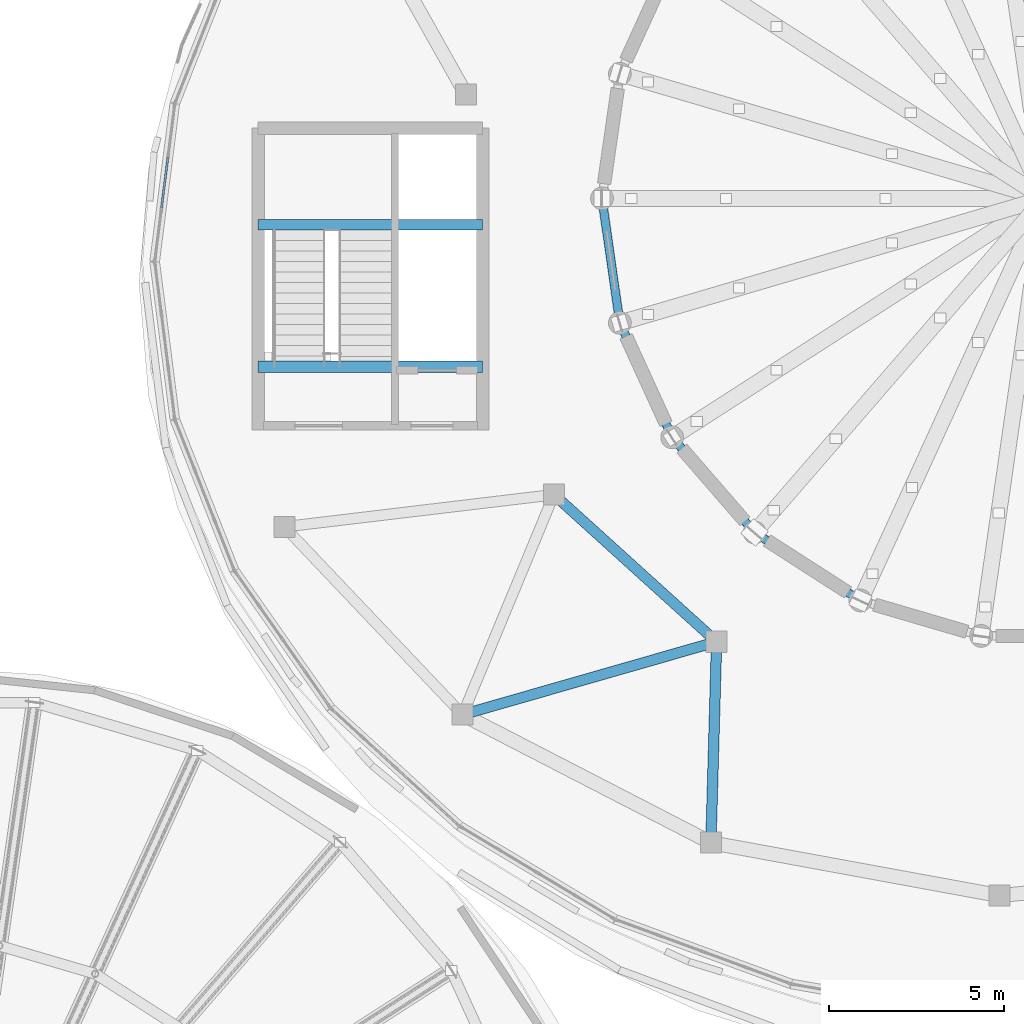
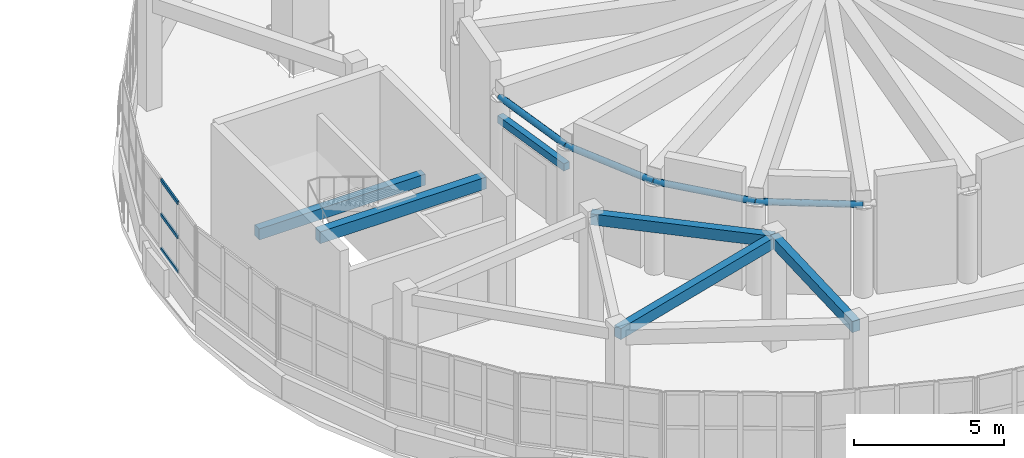
# One storey, part 19 of 69: 10 beams, 3 members, 1 element without a shape of its own.
"""IFC4 building model written with IfcOpenShell, lengths in metres."""

from ifc_helpers import new_model, si_unit, direction, frame, origin, origin_2d, place, context, subcontext, project, spatial, rectangle, hollow_rectangle, hollow_circle, extrude, material, layer, layer_set, material_profile, profile_set, type_object, element, aggregate, save


model = new_model("IFC4")

# Units and contexts
model_context = context("Model", 3, precision=1e-05, world=origin(), true_north=direction((0.0, 1.0)))
body_context = subcontext(model_context, "Body", "Model", "MODEL_VIEW")
ifc_project = project(units=[si_unit("LENGTHUNIT", "METRE"), si_unit("AREAUNIT", "SQUARE_METRE"), si_unit("VOLUMEUNIT", "CUBIC_METRE"), si_unit("PLANEANGLEUNIT", "RADIAN"), si_unit("MASSUNIT", "GRAM", prefix="KILO")], contexts=[model_context])

# Site, building, storey
site_placement = place(None, origin())
site = spatial("IfcSite", under=ifc_project, at=site_placement, CompositionType="ELEMENT")
building_placement = place(site_placement, origin())
building = spatial("IfcBuilding", under=site, at=building_placement, Name="Pelvatis Terrace Science Centre", CompositionType="ELEMENT")
storey_placement = place(building_placement, frame((0.0, 0.0, 15.0)))
storey = spatial("IfcBuildingStorey", under=building, at=storey_placement, Name="L03", CompositionType="ELEMENT", Elevation=15.0)

# Beams
ifc_material_1 = material(Name="Structural steel S355", Category="steel")
ifc_material_profile_1 = material_profile(ifc_material_1, hollow_circle(Radius=0.122314453125, WallThickness=0.010009765625, at=origin_2d()), Name="CHS 244.5x10.0")
ifc_profile_set_1 = profile_set([ifc_material_profile_1], Name="Structural steel S355")
beam_type_1 = type_object("IfcBeamType", Name="BM-HOOP-CHS244", PredefinedType="BEAM", material=ifc_profile_set_1)
beam_1_placement = place(storey_placement, frame((96.60009765625, 85.800048828125, 3.60009765625), z_axis=(0.142279062089, -0.98982658506, 0.0), x_axis=(0.98982658506, 0.142279062089, 0.0)))
element("IfcBeam", 1, at=beam_1_placement, inside=storey, type_object=beam_type_1, Name="Planetarium dome hoop ring 1.12", PredefinedType="BEAM", context=body_context, shape_type="SweptSolid", body=[
    extrude(hollow_circle(Radius=0.122314453125, WallThickness=0.010009765625, at=origin_2d()), origin(), (0.0, 0.0, 1.0), 3.586181640625),
])
beam_2_placement = place(storey_placement, frame((97.1103515625, 82.250244140625, 3.60009765625), z_axis=(0.415376845768, -0.909649424778, 0.0), x_axis=(0.909649424778, 0.415376845768, 0.0)))
element("IfcBeam", 2, at=beam_2_placement, inside=storey, type_object=beam_type_1, Name="Planetarium dome hoop ring 1.13", PredefinedType="BEAM", context=body_context, shape_type="SweptSolid", body=[
    extrude(hollow_circle(Radius=0.122314453125, WallThickness=0.010009765625, at=origin_2d()), origin(), (0.0, 0.0, 1.0), 3.58642578125),
])
beam_3_placement = place(storey_placement, frame((98.60009765625, 78.98779296875, 3.60009765625), z_axis=(0.654896845036, -0.755718282406, 0.0), x_axis=(0.755718282406, 0.654896845036, 0.0)))
element("IfcBeam", 3, at=beam_3_placement, inside=storey, type_object=beam_type_1, Name="Planetarium dome hoop ring 1.14", PredefinedType="BEAM", context=body_context, shape_type="SweptSolid", body=[
    extrude(hollow_circle(Radius=0.122314453125, WallThickness=0.010009765625, at=origin_2d()), origin(), (0.0, 0.0, 1.0), 3.586181640625),
])
beam_4_placement = place(storey_placement, frame((100.94873046875, 76.277587890625, 3.60009765625), z_axis=(0.841253667692, -0.540640607607, 0.0), x_axis=(0.540640607607, 0.841253667692, 0.0)))
element("IfcBeam", 4, at=beam_4_placement, inside=storey, type_object=beam_type_1, Name="Planetarium dome hoop ring 1.15", PredefinedType="BEAM", context=body_context, shape_type="SweptSolid", body=[
    extrude(hollow_circle(Radius=0.122314453125, WallThickness=0.010009765625, at=origin_2d()), origin(), (0.0, 0.0, 1.0), 3.58642578125),
])
ifc_material_2 = material(Name="Concrete C35/45", Category="concrete")
ifc_material_profile_2 = material_profile(ifc_material_2, rectangle(XDim=0.300048828125, YDim=0.449951171875, at=origin_2d()), Name="RC-BM 300x450")
ifc_profile_set_2 = profile_set([ifc_material_profile_2], Name="Concrete C35/45")
beam_type_2 = type_object("IfcBeamType", Name="BM-RC-300x450", PredefinedType="BEAM", material=ifc_profile_set_2)
beam_5_placement = place(storey_placement, frame((92.62744140625, 71.0849609375, 4.324951171875), z_axis=(0.961229800433, 0.275748564382, 0.0), x_axis=(-0.275748564382, 0.961229800433, 0.0)))
element("IfcBeam", 5, at=beam_5_placement, inside=storey, type_object=beam_type_2, Name="Beam BM-L03-3028", PredefinedType="BEAM", context=body_context, shape_type="SweptSolid", body=[
    extrude(rectangle(XDim=0.300048828125, YDim=0.449951171875, at=origin_2d()), origin(), (0.0, 0.0, 1.0), 7.531005859375),
])
beam_6_placement = place(storey_placement, frame((99.705078125, 67.434326171875, 4.324951171875), z_axis=(0.028165640532, 0.999603269649, 0.0), x_axis=(-0.999603269649, 0.028165640532, 0.0)))
element("IfcBeam", 6, at=beam_6_placement, inside=storey, type_object=beam_type_2, Name="Beam BM-L03-3030", PredefinedType="BEAM", context=body_context, shape_type="SweptSolid", body=[
    extrude(rectangle(XDim=0.300048828125, YDim=0.449951171875, at=origin_2d()), origin(), (0.0, 0.0, 1.0), 5.7294921875),
])
beam_7_placement = place(storey_placement, frame((95.231201171875, 77.355224609375, 4.324951171875), z_axis=(0.741551509184, -0.670895937704, 0.0), x_axis=(0.670895937704, 0.741551509184, 0.0)))
element("IfcBeam", 7, at=beam_7_placement, inside=storey, type_object=beam_type_2, Name="Beam BM-L03-3040", PredefinedType="BEAM", context=body_context, shape_type="SweptSolid", body=[
    extrude(rectangle(XDim=0.300048828125, YDim=0.449951171875, at=origin_2d()), origin(), (0.0, 0.0, 1.0), 6.250732421875),
])
beam_8_placement = place(storey_placement, frame((86.800048828125, 85.050048828125, 1.97509765625), z_axis=(1.0, 0.0, 0.0), x_axis=(0.0, 1.0, 0.0)))
element("IfcBeam", 8, at=beam_8_placement, inside=storey, type_object=beam_type_2, Name="Core C1 half-landing beam (L03)", PredefinedType="BEAM", context=body_context, shape_type="SweptSolid", body=[
    extrude(rectangle(XDim=0.300048828125, YDim=0.449951171875, at=origin_2d()), origin(), (0.0, 0.0, 1.0), 6.39990234375),
])
ifc_material_3 = material(Name="Concrete C35/45", Category="concrete")
ifc_material_profile_3 = material_profile(ifc_material_3, rectangle(XDim=0.320068359375, YDim=0.47998046875, at=origin_2d()), Name="RC-BM 320x480")
ifc_profile_set_3 = profile_set([ifc_material_profile_3], Name="Concrete C35/45")
beam_type_3 = type_object("IfcBeamType", Name="BM-RC-320x480", PredefinedType="BEAM", material=ifc_profile_set_3)
beam_9_placement = place(storey_placement, frame((86.800048828125, 81.0, 4.300048828125), z_axis=(1.0, 0.0, 0.0), x_axis=(0.0, 1.0, 0.0)))
element("IfcBeam", 9, at=beam_9_placement, inside=storey, type_object=beam_type_3, Name="Core C1 stair header beam (L03)", PredefinedType="BEAM", context=body_context, shape_type="SweptSolid", body=[
    extrude(rectangle(XDim=0.320068359375, YDim=0.47998046875, at=origin_2d()), origin(), (0.0, 0.0, 1.0), 6.39990234375),
])

# Curtain wall, members
ifc_material_4 = material(Name="Bronze-anodised aluminium and laminated glass", Category="aluminium")
ifc_layer = layer(ifc_material_4, 0.179931640625)
ifc_layer_set = layer_set([ifc_layer], Name="Bronze-anodised aluminium and laminated glass")
curtain_wall_type = type_object("IfcCurtainWallType", Name="CW-RIBBON-A", PredefinedType="NOTDEFINED", material=ifc_layer_set)
curtain_wall_placement = place(storey_placement, origin())
curtain_wall = element("IfcCurtainWall", 10, at=curtain_wall_placement, inside=storey, type_object=curtain_wall_type, Name="Ribbon curtain wall CW-197 (L03)", PredefinedType="NOTDEFINED")
ifc_material_5 = material(Name="Bronze-anodised aluminium 6063-T6", Category="aluminium")
ifc_material_profile_4 = material_profile(ifc_material_5, hollow_rectangle(XDim=0.06005859375, YDim=0.139892578125, WallThickness=0.00390625, at=origin_2d()), Name="ALU-TRN 60x140")
ifc_profile_set_4 = profile_set([ifc_material_profile_4], Name="Bronze-anodised aluminium 6063-T6")
member_type = type_object("IfcMemberType", Name="CWT-60x140", PredefinedType="USERDEFINED", material=ifc_profile_set_4)
member_1_placement = place(storey_placement, frame((84.228515625, 86.97119140625, 1.050048828125), z_axis=(-0.126392609759, -0.991980296275, 0.0), x_axis=(0.991980296275, -0.126392609759, 0.0)))
member_1 = element("IfcMember", 11, at=member_1_placement, type_object=member_type, Name="CW-197 transom 2.1", ObjectType="TRANSOM", PredefinedType="USERDEFINED", context=body_context, shape_type="SweptSolid", body=[
    extrude(hollow_rectangle(XDim=0.06005859375, YDim=0.139892578125, WallThickness=0.00390625, at=origin_2d()), origin(), (0.0, 0.0, 1.0), 1.45263671875),
])
member_2_placement = place(storey_placement, frame((84.228515625, 86.97119140625, 2.445068359375), z_axis=(-0.126392609759, -0.991980296275, 0.0), x_axis=(0.991980296275, -0.126392609759, 0.0)))
member_2 = element("IfcMember", 12, at=member_2_placement, type_object=member_type, Name="CW-197 transom 2.2", ObjectType="TRANSOM", PredefinedType="USERDEFINED", context=body_context, shape_type="SweptSolid", body=[
    extrude(hollow_rectangle(XDim=0.06005859375, YDim=0.139892578125, WallThickness=0.00390625, at=origin_2d()), origin(), (0.0, 0.0, 1.0), 1.45263671875),
])
member_3_placement = place(storey_placement, frame((84.228515625, 86.97119140625, 3.840087890625), z_axis=(-0.126392609759, -0.991980296275, 0.0), x_axis=(0.991980296275, -0.126392609759, 0.0)))
member_3 = element("IfcMember", 13, at=member_3_placement, type_object=member_type, Name="CW-197 transom 2.3", ObjectType="TRANSOM", PredefinedType="USERDEFINED", context=body_context, shape_type="SweptSolid", body=[
    extrude(hollow_rectangle(XDim=0.06005859375, YDim=0.139892578125, WallThickness=0.00390625, at=origin_2d()), origin(), (0.0, 0.0, 1.0), 1.45263671875),
])
aggregate(curtain_wall, [member_1, member_2, member_3])

# Beam
ifc_material_6 = material(Name="Concrete C35/45", Category="concrete")
ifc_material_profile_5 = material_profile(ifc_material_6, rectangle(XDim=0.239990234375, YDim=0.300048828125, at=origin_2d()), Name="RC-LNT 240x300")
ifc_profile_set_5 = profile_set([ifc_material_profile_5], Name="Concrete C35/45")
beam_type_4 = type_object("IfcBeamType", Name="LNT-RC-240x300", PredefinedType="LINTEL", material=ifc_profile_set_5)
beam_10_placement = place(storey_placement, frame((96.60009765625, 85.800048828125, 2.75), z_axis=(0.142279062089, -0.98982658506, 0.0), x_axis=(0.98982658506, 0.142279062089, 0.0)))
element("IfcBeam", 14, at=beam_10_placement, inside=storey, type_object=beam_type_4, Name="Planetarium portal structural lintel 12 (L03)", PredefinedType="LINTEL", context=body_context, shape_type="SweptSolid", body=[
    extrude(rectangle(XDim=0.239990234375, YDim=0.300048828125, at=origin_2d()), origin(), (0.0, 0.0, 1.0), 3.586181640625),
])

save(model, "model.ifc")
